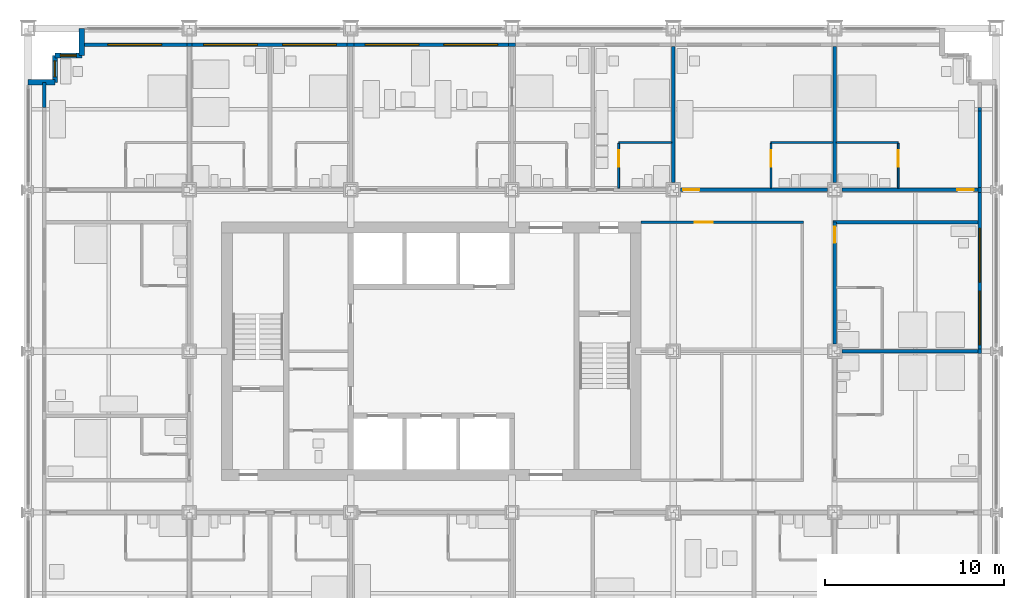
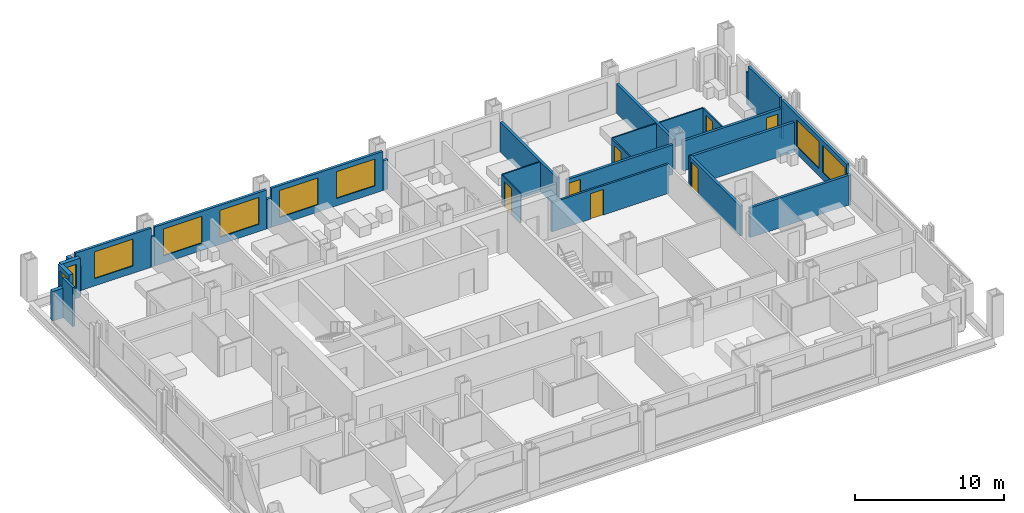
# One storey, part 14 of 18: 30 walls, 9 windows, 7 doors, 16 openings.
"""IFC4 building model written with IfcOpenShell, lengths in metres."""

from ifc_helpers import new_model, si_unit, direction, frame, frame_2d, origin, place, context, subcontext, project, spatial, rectangle, extrude, material, layer, layer_set, type_object, element, fill, save


model = new_model("IFC4")

# Units and contexts
model_context = context("Model", 3, precision=1e-05, world=origin(), true_north=direction((0.0, 1.0)))
body_context = subcontext(model_context, "Body", "Model", "MODEL_VIEW")
ifc_project = project(units=[si_unit("LENGTHUNIT", "METRE"), si_unit("AREAUNIT", "SQUARE_METRE"), si_unit("VOLUMEUNIT", "CUBIC_METRE"), si_unit("PLANEANGLEUNIT", "RADIAN"), si_unit("MASSUNIT", "GRAM", prefix="KILO")], contexts=[model_context])

# Site, building, storey
site_placement = place(None, origin())
site = spatial("IfcSite", under=ifc_project, at=site_placement, CompositionType="ELEMENT")
building_placement = place(site_placement, origin())
building = spatial("IfcBuilding", under=site, at=building_placement, Name="Loomwork Tower", CompositionType="ELEMENT")
storey_placement = place(building_placement, frame((0.0, 0.0, 31.39990234375)))
storey = spatial("IfcBuildingStorey", under=building, at=storey_placement, Name="L06", CompositionType="ELEMENT", Elevation=31.39990234375)

# Wall, opening, door
ifc_material_1 = material(Name="Gypsum board on steel studs, one-hour", Category="steel")
ifc_layer_1 = layer(ifc_material_1, 0.199951171875)
ifc_layer_set_1 = layer_set([ifc_layer_1], Name="Corridor wall 200")
wall_type_1 = type_object("IfcWallType", Name="Corridor wall 200", PredefinedType="PARTITIONING", material=ifc_layer_set_1)
wall_1_placement = place(storey_placement, frame((36.39990234375, 27.0, 0.0), z_axis=(0.0, 0.0, 1.0), x_axis=(1.0, 0.0, 0.0)))
wall_1 = element("IfcWall", 1, at=wall_1_placement, inside=storey, type_object=wall_type_1, Name="North corridor wall 5", PredefinedType="PARTITIONING", context=body_context, shape_type="SweptSolid", body=[
    extrude(rectangle(XDim=8.2001953125, YDim=0.199951171875, at=frame_2d((4.10009765625, 0.0))), origin(), (0.0, 0.0, 1.0), 2.43798828125),
])
opening_1_placement = place(wall_1_placement, frame((0.14990234375, 0.0, 0.0)))
opening_1 = element("IfcOpeningElement", 2, at=opening_1_placement, cuts=wall_1, Name="Opening D1", PredefinedType="OPENING", context=body_context, shape_type="SweptSolid", body=[
    extrude(rectangle(XDim=0.89990234375, YDim=2.10009765625, at=frame_2d((0.449951171875, 1.050048828125))), frame((0.0, 0.10986328125, 0.0), z_axis=(0.0, -1.0, 0.0), x_axis=(1.0, 0.0, 0.0)), (0.0, 0.0, 1.0), 0.219970703125),
])
ifc_material_2 = material(Name="Hollow metal door and frame")
door_type_1 = type_object("IfcDoorType", Name="Guest room entry door 900", OperationType="SINGLE_SWING_LEFT", PredefinedType="DOOR", material=ifc_material_2)
door_1_placement = place(opening_1_placement, origin())
door_1 = element("IfcDoor", 3, at=door_1_placement, inside=storey, type_object=door_type_1, Name="Guest room entry door L06 14", OperationType="SINGLE_SWING_LEFT", OverallHeight=2.10009765625, OverallWidth=0.89990234375, PredefinedType="DOOR", context=body_context, shape_type="SweptSolid", body=[
    extrude(rectangle(XDim=0.89990234375, YDim=2.10009765625, at=frame_2d((0.449951171875, 1.050048828125))), frame((0.0, 0.02490234375, 0.0), z_axis=(0.0, -1.0, 0.0), x_axis=(1.0, 0.0, 0.0)), (0.0, 0.0, 1.0), 0.050048828125),
])
fill(opening_1, door_1)

wall_2_placement = place(storey_placement, frame((45.39990234375, 27.0, 0.0), z_axis=(0.0, 0.0, 1.0), x_axis=(1.0, 0.0, 0.0)))
wall_2 = element("IfcWall", 4, at=wall_2_placement, inside=storey, type_object=wall_type_1, Name="North corridor wall 6", PredefinedType="PARTITIONING", context=body_context, shape_type="SweptSolid", body=[
    extrude(rectangle(XDim=7.60009765625, YDim=0.199951171875, at=frame_2d((3.800048828125, 0.0))), origin(), (0.0, 0.0, 1.0), 2.43798828125),
])
opening_2_placement = place(wall_2_placement, frame((6.449951171875, 0.0, 0.0)))
opening_2 = element("IfcOpeningElement", 5, at=opening_2_placement, cuts=wall_2, Name="Opening D1", PredefinedType="OPENING", context=body_context, shape_type="SweptSolid", body=[
    extrude(rectangle(XDim=0.89990234375, YDim=2.10009765625, at=frame_2d((0.449951171875, 1.050048828125))), frame((0.0, 0.10986328125, 0.0), z_axis=(0.0, -1.0, 0.0), x_axis=(1.0, 0.0, 0.0)), (0.0, 0.0, 1.0), 0.219970703125),
])
door_2_placement = place(opening_2_placement, origin())
door_2 = element("IfcDoor", 6, at=door_2_placement, inside=storey, type_object=door_type_1, Name="Guest room entry door L06 15", OperationType="SINGLE_SWING_RIGHT", OverallHeight=2.10009765625, OverallWidth=0.89990234375, PredefinedType="DOOR", context=body_context, shape_type="SweptSolid", body=[
    extrude(rectangle(XDim=0.89990234375, YDim=2.10009765625, at=frame_2d((0.449951171875, 1.050048828125))), frame((0.0, 0.02490234375, 0.0), z_axis=(0.0, -1.0, 0.0), x_axis=(1.0, 0.0, 0.0)), (0.0, 0.0, 1.0), 0.050048828125),
])
fill(opening_2, door_2)

wall_3_placement = place(storey_placement, frame((45.0, 18.39990234375, 0.0), z_axis=(0.0, 0.0, 1.0), x_axis=(0.0, 1.0, 0.0)))
wall_3 = element("IfcWall", 7, at=wall_3_placement, inside=storey, type_object=wall_type_1, Name="East corridor wall 2", PredefinedType="PARTITIONING", context=body_context, shape_type="SweptSolid", body=[
    extrude(rectangle(XDim=6.800048828125, YDim=0.199951171875, at=frame_2d((3.39990234375, 0.0))), origin(), (0.0, 0.0, 1.0), 2.43798828125),
])
opening_3_placement = place(wall_3_placement, frame((5.64990234375, 0.0, 0.0)))
opening_3 = element("IfcOpeningElement", 8, at=opening_3_placement, cuts=wall_3, Name="Opening D1", PredefinedType="OPENING", context=body_context, shape_type="SweptSolid", body=[
    extrude(rectangle(XDim=0.89990234375, YDim=2.10009765625, at=frame_2d((0.449951171875, 1.050048828125))), frame((0.0, 0.10986328125, 0.0), z_axis=(0.0, -1.0, 0.0), x_axis=(1.0, 0.0, 0.0)), (0.0, 0.0, 1.0), 0.219970703125),
])
door_3_placement = place(opening_3_placement, frame((0.89990234375, 0.0, 0.0), z_axis=(0.0, 0.0, 1.0), x_axis=(-1.0, 0.0, 0.0)))
door_3 = element("IfcDoor", 9, at=door_3_placement, inside=storey, type_object=door_type_1, Name="Guest room entry door L06 19", OperationType="SINGLE_SWING_LEFT", OverallHeight=2.10009765625, OverallWidth=0.89990234375, PredefinedType="DOOR", context=body_context, shape_type="SweptSolid", body=[
    extrude(rectangle(XDim=0.89990234375, YDim=2.10009765625, at=frame_2d((0.449951171875, 1.050048828125))), frame((0.0, 0.02490234375, 0.0), z_axis=(0.0, -1.0, 0.0), x_axis=(1.0, 0.0, 0.0)), (0.0, 0.0, 1.0), 0.050048828125),
])
fill(opening_3, door_3)

# Walls
wall_4_placement = place(storey_placement, frame((44.89990234375, 25.199951171875, 0.0), z_axis=(0.0, 0.0, 1.0), x_axis=(1.0, 0.0, 0.0)))
element("IfcWall", 10, at=wall_4_placement, inside=storey, type_object=wall_type_1, Name="East band end wall N", PredefinedType="PARTITIONING", context=body_context, shape_type="SweptSolid", body=[
    extrude(rectangle(XDim=8.10009765625, YDim=0.199951171875, at=frame_2d((4.050048828125, 0.0))), origin(), (0.0, 0.0, 1.0), 2.43798828125),
])
ifc_material_3 = material(Name="Cement board on steel studs", Category="steel")
ifc_layer_2 = layer(ifc_material_3, 0.10009765625)
ifc_layer_set_2 = layer_set([ifc_layer_2], Name="En-suite partition 100")
wall_type_2 = type_object("IfcWallType", Name="En-suite partition 100", PredefinedType="PARTITIONING", material=ifc_layer_set_2)
wall_5_placement = place(storey_placement, frame((32.949951171875, 29.64990234375, 0.0), z_axis=(0.0, 0.0, 1.0), x_axis=(1.0, 0.0, 0.0)))
element("IfcWall", 11, at=wall_5_placement, inside=storey, type_object=wall_type_2, Name="En-suite wall L06 room 13", PredefinedType="PARTITIONING", context=body_context, shape_type="SweptSolid", body=[
    extrude(rectangle(XDim=2.949951171875, YDim=0.10009765625, at=frame_2d((1.47509765625, 0.0))), origin(), (0.0, 0.0, 1.0), 2.43798828125),
])

# Wall, opening, door
wall_6_placement = place(storey_placement, frame((32.949951171875, 27.10009765625, 0.0), z_axis=(0.0, 0.0, 1.0), x_axis=(0.0, 1.0, 0.0)))
wall_6 = element("IfcWall", 12, at=wall_6_placement, inside=storey, type_object=wall_type_2, Name="En-suite side wall L06 room 13", PredefinedType="PARTITIONING", context=body_context, shape_type="SweptSolid", body=[
    extrude(rectangle(XDim=2.5, YDim=0.10009765625, at=frame_2d((1.25, 0.0))), origin(), (0.0, 0.0, 1.0), 2.404052734375),
])
opening_4_placement = place(wall_6_placement, frame((1.199951171875, 0.0, 0.0)))
opening_4 = element("IfcOpeningElement", 13, at=opening_4_placement, cuts=wall_6, Name="Opening D2", PredefinedType="OPENING", context=body_context, shape_type="SweptSolid", body=[
    extrude(rectangle(XDim=0.89990234375, YDim=2.10009765625, at=frame_2d((0.449951171875, 1.050048828125))), frame((0.0, 0.06005859375, 0.0), z_axis=(0.0, -1.0, 0.0), x_axis=(1.0, 0.0, 0.0)), (0.0, 0.0, 1.0), 0.1201171875),
])
ifc_material_4 = material(Name="Hollow metal door and frame")
door_type_2 = type_object("IfcDoorType", Name="En-suite door 900", OperationType="SINGLE_SWING_LEFT", PredefinedType="DOOR", material=ifc_material_4)
door_4_placement = place(opening_4_placement, frame((0.89990234375, 0.0, 0.0), z_axis=(0.0, 0.0, 1.0), x_axis=(-1.0, 0.0, 0.0)))
door_4 = element("IfcDoor", 14, at=door_4_placement, inside=storey, type_object=door_type_2, Name="En-suite door room 13", OperationType="SINGLE_SWING_LEFT", OverallHeight=2.10009765625, OverallWidth=0.89990234375, PredefinedType="DOOR", context=body_context, shape_type="SweptSolid", body=[
    extrude(rectangle(XDim=0.89990234375, YDim=2.10009765625, at=frame_2d((0.449951171875, 1.050048828125))), frame((0.0, 0.02490234375, 0.0), z_axis=(0.0, -1.0, 0.0), x_axis=(1.0, 0.0, 0.0)), (0.0, 0.0, 1.0), 0.050048828125),
])
fill(opening_4, door_4)

# Wall
wall_7_placement = place(storey_placement, frame((41.449951171875, 29.64990234375, 0.0), z_axis=(0.0, 0.0, 1.0), x_axis=(1.0, 0.0, 0.0)))
element("IfcWall", 15, at=wall_7_placement, inside=storey, type_object=wall_type_2, Name="En-suite wall L06 room 14", PredefinedType="PARTITIONING", context=body_context, shape_type="SweptSolid", body=[
    extrude(rectangle(XDim=3.449951171875, YDim=0.10009765625, at=frame_2d((1.72509765625, 0.0))), origin(), (0.0, 0.0, 1.0), 2.43798828125),
])

# Wall, opening, door
wall_8_placement = place(storey_placement, frame((41.449951171875, 27.10009765625, 0.0), z_axis=(0.0, 0.0, 1.0), x_axis=(0.0, 1.0, 0.0)))
wall_8 = element("IfcWall", 16, at=wall_8_placement, inside=storey, type_object=wall_type_2, Name="En-suite side wall L06 room 14", PredefinedType="PARTITIONING", context=body_context, shape_type="SweptSolid", body=[
    extrude(rectangle(XDim=2.5, YDim=0.10009765625, at=frame_2d((1.25, 0.0))), origin(), (0.0, 0.0, 1.0), 2.43798828125),
])
opening_5_placement = place(wall_8_placement, frame((1.199951171875, 0.0, 0.0)))
opening_5 = element("IfcOpeningElement", 17, at=opening_5_placement, cuts=wall_8, Name="Opening D2", PredefinedType="OPENING", context=body_context, shape_type="SweptSolid", body=[
    extrude(rectangle(XDim=0.89990234375, YDim=2.10009765625, at=frame_2d((0.449951171875, 1.050048828125))), frame((0.0, 0.06005859375, 0.0), z_axis=(0.0, -1.0, 0.0), x_axis=(1.0, 0.0, 0.0)), (0.0, 0.0, 1.0), 0.1201171875),
])
door_5_placement = place(opening_5_placement, frame((0.89990234375, 0.0, 0.0), z_axis=(0.0, 0.0, 1.0), x_axis=(-1.0, 0.0, 0.0)))
door_5 = element("IfcDoor", 18, at=door_5_placement, inside=storey, type_object=door_type_2, Name="En-suite door room 14", OperationType="SINGLE_SWING_LEFT", OverallHeight=2.10009765625, OverallWidth=0.89990234375, PredefinedType="DOOR", context=body_context, shape_type="SweptSolid", body=[
    extrude(rectangle(XDim=0.89990234375, YDim=2.10009765625, at=frame_2d((0.449951171875, 1.050048828125))), frame((0.0, 0.02490234375, 0.0), z_axis=(0.0, -1.0, 0.0), x_axis=(1.0, 0.0, 0.0)), (0.0, 0.0, 1.0), 0.050048828125),
])
fill(opening_5, door_5)

# Wall
wall_9_placement = place(storey_placement, frame((45.10009765625, 29.64990234375, 0.0), z_axis=(0.0, 0.0, 1.0), x_axis=(1.0, 0.0, 0.0)))
element("IfcWall", 19, at=wall_9_placement, inside=storey, type_object=wall_type_2, Name="En-suite wall L06 room 15", PredefinedType="PARTITIONING", context=body_context, shape_type="SweptSolid", body=[
    extrude(rectangle(XDim=3.449951171875, YDim=0.10009765625, at=frame_2d((1.72509765625, 0.0))), origin(), (0.0, 0.0, 1.0), 2.43798828125),
])

# Wall, opening, door
wall_10_placement = place(storey_placement, frame((48.550048828125, 27.10009765625, 0.0), z_axis=(0.0, 0.0, 1.0), x_axis=(0.0, 1.0, 0.0)))
wall_10 = element("IfcWall", 20, at=wall_10_placement, inside=storey, type_object=wall_type_2, Name="En-suite side wall L06 room 15", PredefinedType="PARTITIONING", context=body_context, shape_type="SweptSolid", body=[
    extrude(rectangle(XDim=2.5, YDim=0.10009765625, at=frame_2d((1.25, 0.0))), origin(), (0.0, 0.0, 1.0), 2.43798828125),
])
opening_6_placement = place(wall_10_placement, frame((1.199951171875, 0.0, 0.0)))
opening_6 = element("IfcOpeningElement", 21, at=opening_6_placement, cuts=wall_10, Name="Opening D2", PredefinedType="OPENING", context=body_context, shape_type="SweptSolid", body=[
    extrude(rectangle(XDim=0.89990234375, YDim=2.10009765625, at=frame_2d((0.449951171875, 1.050048828125))), frame((0.0, 0.06005859375, 0.0), z_axis=(0.0, -1.0, 0.0), x_axis=(1.0, 0.0, 0.0)), (0.0, 0.0, 1.0), 0.1201171875),
])
door_6_placement = place(opening_6_placement, origin())
door_6 = element("IfcDoor", 22, at=door_6_placement, inside=storey, type_object=door_type_2, Name="En-suite door room 15", OperationType="SINGLE_SWING_RIGHT", OverallHeight=2.10009765625, OverallWidth=0.89990234375, PredefinedType="DOOR", context=body_context, shape_type="SweptSolid", body=[
    extrude(rectangle(XDim=0.89990234375, YDim=2.10009765625, at=frame_2d((0.449951171875, 1.050048828125))), frame((0.0, 0.02490234375, 0.0), z_axis=(0.0, -1.0, 0.0), x_axis=(1.0, 0.0, 0.0)), (0.0, 0.0, 1.0), 0.050048828125),
])
fill(opening_6, door_6)

# Walls
ifc_material_5 = material(Name="Gypsum board on steel studs, acoustic", Category="steel")
ifc_layer_3 = layer(ifc_material_5, 0.199951171875)
ifc_layer_set_3 = layer_set([ifc_layer_3], Name="Guest room party wall 200")
wall_type_3 = type_object("IfcWallType", Name="Guest room party wall 200", PredefinedType="PARTITIONING", material=ifc_layer_set_3)
for number, where, z_axis, x_axis, name in (
    (23, (36.0, 27.39990234375, 0.0), (0.0, 0.0, 1.0), (0.0, 1.0, 0.0), "Guest room party wall N 36"),
    (24, (45.0, 27.39990234375, 0.0), (0.0, 0.0, 1.0), (0.0, 1.0, 0.0), "Guest room party wall N 45"),
    (25, (45.39990234375, 18.0, 0.0), (0.0, 0.0, 1.0), (1.0, 0.0, 0.0), "Guest room party wall E 18"),
):
    element("IfcWall", number, at=place(storey_placement, frame(where, z_axis=z_axis, x_axis=x_axis)), inside=storey, type_object=wall_type_3, Name=name, PredefinedType="PARTITIONING", context=body_context, shape_type="SweptSolid", body=[
        extrude(rectangle(XDim=7.60009765625, YDim=0.199951171875, at=frame_2d((3.800048828125, 0.0))), origin(), (0.0, 0.0, 1.0), 2.43798828125),
    ])

# Wall, opening, window
ifc_material_6 = material(Name="Insulated steel stud wall with gypsum lining", Category="steel")
ifc_layer_4 = layer(ifc_material_6, 0.199951171875)
ifc_layer_set_4 = layer_set([ifc_layer_4], Name="Inner skin wall 200")
wall_type_4 = type_object("IfcWallType", Name="Inner skin wall 200", PredefinedType="SOLIDWALL", material=ifc_layer_set_4)
wall_11_placement = place(storey_placement, frame((3.0, 35.10009765625, 0.0), z_axis=(0.0, 0.0, 1.0), x_axis=(1.0, 0.0, 0.0)))
wall_11 = element("IfcWall", 26, at=wall_11_placement, inside=storey, type_object=wall_type_4, Name="Inner skin wall N", PredefinedType="SOLIDWALL", context=body_context, shape_type="SweptSolid", body=[
    extrude(rectangle(XDim=5.86474609375, YDim=0.199951171875, at=frame_2d((2.932373046875, 0.0))), origin(), (0.0, 0.0, 1.0), 3.2001953125),
])
opening_7_placement = place(wall_11_placement, frame((1.449951171875, 0.0, 0.60009765625)))
opening_7 = element("IfcOpeningElement", 27, at=opening_7_placement, cuts=wall_11, Name="Opening CH1", PredefinedType="OPENING", context=body_context, shape_type="SweptSolid", body=[
    extrude(rectangle(XDim=3.0, YDim=2.199951171875, at=frame_2d((1.5, 1.10009765625))), frame((0.0, 0.10986328125, 0.0), z_axis=(0.0, -1.0, 0.0), x_axis=(1.0, 0.0, 0.0)), (0.0, 0.0, 1.0), 0.219970703125),
])
ifc_material_7 = material(Name="Aluminium frame with clear insulated glass", Category="aluminium")
window_type_1 = type_object("IfcWindowType", Name="Chicago window 3000", PartitioningType="TRIPLE_PANEL_VERTICAL", PredefinedType="WINDOW", material=ifc_material_7)
window_1_placement = place(opening_7_placement, origin())
window_1 = element("IfcWindow", 28, at=window_1_placement, inside=storey, type_object=window_type_1, Name="Chicago window L06 bay 7", OverallHeight=2.199951171875, OverallWidth=3.0, PartitioningType="TRIPLE_PANEL_VERTICAL", PredefinedType="WINDOW", context=body_context, shape_type="SweptSolid", body=[
    extrude(rectangle(XDim=3.0, YDim=2.199951171875, at=frame_2d((1.5, 1.10009765625))), frame((0.0, 0.030029296875, 0.0), z_axis=(0.0, -1.0, 0.0), x_axis=(1.0, 0.0, 0.0)), (0.0, 0.0, 1.0), 0.06005859375),
])
fill(opening_7, window_1)

# Walls
wall_12_placement = place(storey_placement, frame((0.89990234375, 31.607421875, 0.0), z_axis=(0.0, 0.0, 1.0), x_axis=(0.0, 1.0, 0.0)))
element("IfcWall", 29, at=wall_12_placement, inside=storey, type_object=wall_type_4, Name="Inner skin wall W bay 11", PredefinedType="SOLIDWALL", context=body_context, shape_type="SweptSolid", body=[
    extrude(rectangle(XDim=1.392578125, YDim=0.199951171875, at=frame_2d((0.6962890625, 0.0))), origin(), (0.0, 0.0, 1.0), 3.2001953125),
])
wall_13_placement = place(storey_placement, frame((8.86474609375, 35.10009765625, 0.0), z_axis=(0.0, 0.0, 1.0), x_axis=(1.0, 0.0, 0.0)))
element("IfcWall", 30, at=wall_13_placement, inside=storey, type_object=wall_type_4, Name="Inner skin wall N bay 2", PredefinedType="SOLIDWALL", context=body_context, shape_type="SweptSolid", body=[
    extrude(rectangle(XDim=0.2705078125, YDim=0.199951171875, at=frame_2d((0.13525390625, 0.0))), origin(), (0.0, 0.0, 1.0), 2.43798828125),
])

# Wall, openings, windows
wall_14_placement = place(storey_placement, frame((9.13525390625, 35.10009765625, 0.0), z_axis=(0.0, 0.0, 1.0), x_axis=(1.0, 0.0, 0.0)))
wall_14 = element("IfcWall", 31, at=wall_14_placement, inside=storey, type_object=wall_type_4, Name="Inner skin wall N bay 3", PredefinedType="SOLIDWALL", context=body_context, shape_type="SweptSolid", body=[
    extrude(rectangle(XDim=8.6708984375, YDim=0.199951171875, at=frame_2d((4.33544921875, 0.0))), origin(), (0.0, 0.0, 1.0), 3.2001953125),
])
opening_8_placement = place(wall_14_placement, frame((0.664794921875, 0.0, 0.60009765625)))
opening_8 = element("IfcOpeningElement", 32, at=opening_8_placement, cuts=wall_14, Name="Opening CH1", PredefinedType="OPENING", context=body_context, shape_type="SweptSolid", body=[
    extrude(rectangle(XDim=3.0, YDim=2.199951171875, at=frame_2d((1.5, 1.10009765625))), frame((0.0, 0.10986328125, 0.0), z_axis=(0.0, -1.0, 0.0), x_axis=(1.0, 0.0, 0.0)), (0.0, 0.0, 1.0), 0.219970703125),
])
opening_9_placement = place(wall_14_placement, frame((5.064697265625, 0.0, 0.60009765625)))
opening_9 = element("IfcOpeningElement", 33, at=opening_9_placement, cuts=wall_14, Name="Opening CH1", PredefinedType="OPENING", context=body_context, shape_type="SweptSolid", body=[
    extrude(rectangle(XDim=3.0, YDim=2.199951171875, at=frame_2d((1.5, 1.10009765625))), frame((0.0, 0.10986328125, 0.0), z_axis=(0.0, -1.0, 0.0), x_axis=(1.0, 0.0, 0.0)), (0.0, 0.0, 1.0), 0.219970703125),
])
window_2_placement = place(opening_8_placement, origin())
window_2 = element("IfcWindow", 34, at=window_2_placement, inside=storey, type_object=window_type_1, Name="Chicago window L06 bay 8", OverallHeight=2.199951171875, OverallWidth=3.0, PartitioningType="TRIPLE_PANEL_VERTICAL", PredefinedType="WINDOW", context=body_context, shape_type="SweptSolid", body=[
    extrude(rectangle(XDim=3.0, YDim=2.199951171875, at=frame_2d((1.5, 1.10009765625))), frame((0.0, 0.030029296875, 0.0), z_axis=(0.0, -1.0, 0.0), x_axis=(1.0, 0.0, 0.0)), (0.0, 0.0, 1.0), 0.06005859375),
])
fill(opening_8, window_2)
window_3_placement = place(opening_9_placement, origin())
window_3 = element("IfcWindow", 35, at=window_3_placement, inside=storey, type_object=window_type_1, Name="Chicago window L06 bay 8", OverallHeight=2.199951171875, OverallWidth=3.0, PartitioningType="TRIPLE_PANEL_VERTICAL", PredefinedType="WINDOW", context=body_context, shape_type="SweptSolid", body=[
    extrude(rectangle(XDim=3.0, YDim=2.199951171875, at=frame_2d((1.5, 1.10009765625))), frame((0.0, 0.030029296875, 0.0), z_axis=(0.0, -1.0, 0.0), x_axis=(1.0, 0.0, 0.0)), (0.0, 0.0, 1.0), 0.06005859375),
])
fill(opening_9, window_3)

# Wall
wall_15_placement = place(storey_placement, frame((17.80615234375, 35.10009765625, 0.0), z_axis=(0.0, 0.0, 1.0), x_axis=(1.0, 0.0, 0.0)))
element("IfcWall", 36, at=wall_15_placement, inside=storey, type_object=wall_type_4, Name="Inner skin wall N bay 4", PredefinedType="SOLIDWALL", context=body_context, shape_type="SweptSolid", body=[
    extrude(rectangle(XDim=0.3876953125, YDim=0.199951171875, at=frame_2d((0.19384765625, 0.0))), origin(), (0.0, 0.0, 1.0), 2.404052734375),
])

# Wall, openings, windows
wall_16_placement = place(storey_placement, frame((18.19384765625, 35.10009765625, 0.0), z_axis=(0.0, 0.0, 1.0), x_axis=(1.0, 0.0, 0.0)))
wall_16 = element("IfcWall", 37, at=wall_16_placement, inside=storey, type_object=wall_type_4, Name="Inner skin wall N bay 5", PredefinedType="SOLIDWALL", context=body_context, shape_type="SweptSolid", body=[
    extrude(rectangle(XDim=8.6123046875, YDim=0.199951171875, at=frame_2d((4.30615234375, 0.0))), origin(), (0.0, 0.0, 1.0), 3.2001953125),
])
opening_10_placement = place(wall_16_placement, frame((0.606201171875, 0.0, 0.60009765625)))
opening_10 = element("IfcOpeningElement", 38, at=opening_10_placement, cuts=wall_16, Name="Opening CH1", PredefinedType="OPENING", context=body_context, shape_type="SweptSolid", body=[
    extrude(rectangle(XDim=3.0, YDim=2.199951171875, at=frame_2d((1.5, 1.10009765625))), frame((0.0, 0.10986328125, 0.0), z_axis=(0.0, -1.0, 0.0), x_axis=(1.0, 0.0, 0.0)), (0.0, 0.0, 1.0), 0.219970703125),
])
opening_11_placement = place(wall_16_placement, frame((5.006103515625, 0.0, 0.60009765625)))
opening_11 = element("IfcOpeningElement", 39, at=opening_11_placement, cuts=wall_16, Name="Opening CH1", PredefinedType="OPENING", context=body_context, shape_type="SweptSolid", body=[
    extrude(rectangle(XDim=3.0, YDim=2.199951171875, at=frame_2d((1.5, 1.10009765625))), frame((0.0, 0.10986328125, 0.0), z_axis=(0.0, -1.0, 0.0), x_axis=(1.0, 0.0, 0.0)), (0.0, 0.0, 1.0), 0.219970703125),
])
window_4_placement = place(opening_10_placement, origin())
window_4 = element("IfcWindow", 40, at=window_4_placement, inside=storey, type_object=window_type_1, Name="Chicago window L06 bay 9", OverallHeight=2.199951171875, OverallWidth=3.0, PartitioningType="TRIPLE_PANEL_VERTICAL", PredefinedType="WINDOW", context=body_context, shape_type="SweptSolid", body=[
    extrude(rectangle(XDim=3.0, YDim=2.199951171875, at=frame_2d((1.5, 1.10009765625))), frame((0.0, 0.030029296875, 0.0), z_axis=(0.0, -1.0, 0.0), x_axis=(1.0, 0.0, 0.0)), (0.0, 0.0, 1.0), 0.06005859375),
])
fill(opening_10, window_4)
window_5_placement = place(opening_11_placement, origin())
window_5 = element("IfcWindow", 41, at=window_5_placement, inside=storey, type_object=window_type_1, Name="Chicago window L06 bay 9", OverallHeight=2.199951171875, OverallWidth=3.0, PartitioningType="TRIPLE_PANEL_VERTICAL", PredefinedType="WINDOW", context=body_context, shape_type="SweptSolid", body=[
    extrude(rectangle(XDim=3.0, YDim=2.199951171875, at=frame_2d((1.5, 1.10009765625))), frame((0.0, 0.030029296875, 0.0), z_axis=(0.0, -1.0, 0.0), x_axis=(1.0, 0.0, 0.0)), (0.0, 0.0, 1.0), 0.06005859375),
])
fill(opening_11, window_5)

# Walls
wall_17_placement = place(storey_placement, frame((26.80615234375, 35.10009765625, 0.0), z_axis=(0.0, 0.0, 1.0), x_axis=(1.0, 0.0, 0.0)))
element("IfcWall", 42, at=wall_17_placement, inside=storey, type_object=wall_type_4, Name="Inner skin wall N bay 6", PredefinedType="SOLIDWALL", context=body_context, shape_type="SweptSolid", body=[
    extrude(rectangle(XDim=0.3876953125, YDim=0.199951171875, at=frame_2d((0.19384765625, 0.0))), origin(), (0.0, 0.0, 1.0), 2.404052734375),
])
wall_18_placement = place(storey_placement, frame((53.10009765625, 17.864501953125, 0.0), z_axis=(0.0, 0.0, 1.0), x_axis=(0.0, 1.0, 0.0)))
element("IfcWall", 43, at=wall_18_placement, inside=storey, type_object=wall_type_4, Name="Inner skin wall E bay 6", PredefinedType="SOLIDWALL", context=body_context, shape_type="SweptSolid", body=[
    extrude(rectangle(XDim=0.27099609375, YDim=0.199951171875, at=frame_2d((0.135498046875, 0.0))), origin(), (0.0, 0.0, 1.0), 2.43798828125),
])

# Wall, openings, windows
wall_19_placement = place(storey_placement, frame((53.10009765625, 18.135498046875, 0.0), z_axis=(0.0, 0.0, 1.0), x_axis=(0.0, 1.0, 0.0)))
wall_19 = element("IfcWall", 44, at=wall_19_placement, inside=storey, type_object=wall_type_4, Name="Inner skin wall E bay 7", PredefinedType="SOLIDWALL", context=body_context, shape_type="SweptSolid", body=[
    extrude(rectangle(XDim=8.729248046875, YDim=0.199951171875, at=frame_2d((4.36474609375, 0.0))), origin(), (0.0, 0.0, 1.0), 3.2001953125),
])
opening_12_placement = place(wall_19_placement, frame((0.214599609375, 0.0, 0.60009765625)))
opening_12 = element("IfcOpeningElement", 45, at=opening_12_placement, cuts=wall_19, Name="Opening CH1", PredefinedType="OPENING", context=body_context, shape_type="SweptSolid", body=[
    extrude(rectangle(XDim=3.0, YDim=2.199951171875, at=frame_2d((1.5, 1.10009765625))), frame((0.0, 0.10986328125, 0.0), z_axis=(0.0, -1.0, 0.0), x_axis=(1.0, 0.0, 0.0)), (0.0, 0.0, 1.0), 0.219970703125),
])
opening_13_placement = place(wall_19_placement, frame((3.714599609375, 0.0, 0.60009765625)))
opening_13 = element("IfcOpeningElement", 46, at=opening_13_placement, cuts=wall_19, Name="Opening CH1", PredefinedType="OPENING", context=body_context, shape_type="SweptSolid", body=[
    extrude(rectangle(XDim=3.0, YDim=2.199951171875, at=frame_2d((1.5, 1.10009765625))), frame((0.0, 0.10986328125, 0.0), z_axis=(0.0, -1.0, 0.0), x_axis=(1.0, 0.0, 0.0)), (0.0, 0.0, 1.0), 0.219970703125),
])
window_6_placement = place(opening_12_placement, origin())
window_6 = element("IfcWindow", 47, at=window_6_placement, inside=storey, type_object=window_type_1, Name="Chicago window L06 bay 16", OverallHeight=2.199951171875, OverallWidth=3.0, PartitioningType="TRIPLE_PANEL_VERTICAL", PredefinedType="WINDOW", context=body_context, shape_type="SweptSolid", body=[
    extrude(rectangle(XDim=3.0, YDim=2.199951171875, at=frame_2d((1.5, 1.10009765625))), frame((0.0, 0.030029296875, 0.0), z_axis=(0.0, -1.0, 0.0), x_axis=(1.0, 0.0, 0.0)), (0.0, 0.0, 1.0), 0.06005859375),
])
fill(opening_12, window_6)
window_7_placement = place(opening_13_placement, origin())
window_7 = element("IfcWindow", 48, at=window_7_placement, inside=storey, type_object=window_type_1, Name="Chicago window L06 bay 16", OverallHeight=2.199951171875, OverallWidth=3.0, PartitioningType="TRIPLE_PANEL_VERTICAL", PredefinedType="WINDOW", context=body_context, shape_type="SweptSolid", body=[
    extrude(rectangle(XDim=3.0, YDim=2.199951171875, at=frame_2d((1.5, 1.10009765625))), frame((0.0, 0.030029296875, 0.0), z_axis=(0.0, -1.0, 0.0), x_axis=(1.0, 0.0, 0.0)), (0.0, 0.0, 1.0), 0.06005859375),
])
fill(opening_13, window_7)

# Walls
wall_20_placement = place(storey_placement, frame((53.10009765625, 26.86474609375, 0.0), z_axis=(0.0, 0.0, 1.0), x_axis=(0.0, 1.0, 0.0)))
element("IfcWall", 49, at=wall_20_placement, inside=storey, type_object=wall_type_4, Name="Inner skin wall E bay 8", PredefinedType="SOLIDWALL", context=body_context, shape_type="SweptSolid", body=[
    extrude(rectangle(XDim=0.2705078125, YDim=0.199951171875, at=frame_2d((0.13525390625, 0.0))), origin(), (0.0, 0.0, 1.0), 2.43798828125),
])
wall_21_placement = place(storey_placement, frame((53.10009765625, 27.13525390625, 0.0), z_axis=(0.0, 0.0, 1.0), x_axis=(0.0, 1.0, 0.0)))
element("IfcWall", 50, at=wall_21_placement, inside=storey, type_object=wall_type_4, Name="Inner skin wall E bay 9", PredefinedType="SOLIDWALL", context=body_context, shape_type="SweptSolid", body=[
    extrude(rectangle(XDim=4.25732421875, YDim=0.199951171875, at=frame_2d((2.128662109375, 0.0))), origin(), (0.0, 0.0, 1.0), 3.2001953125),
])
wall_22_placement = place(storey_placement, frame((53.10009765625, 31.392578125, 0.0), z_axis=(0.0, 0.0, 1.0), x_axis=(0.0, 1.0, 0.0)))
element("IfcWall", 51, at=wall_22_placement, inside=storey, type_object=wall_type_4, Name="Inner skin wall E bay 10", PredefinedType="SOLIDWALL", context=body_context, shape_type="SweptSolid", body=[
    extrude(rectangle(XDim=0.21484375, YDim=0.199951171875, at=frame_2d((0.107421875, 0.0))), origin(), (0.0, 0.0, 1.0), 2.6611328125),
])
ifc_material_8 = material(Name="Limestone on concrete masonry", Category="masonry")
ifc_layer_5 = layer(ifc_material_8, 0.300048828125)
ifc_layer_set_5 = layer_set([ifc_layer_5], Name="Limestone corner wall 300")
wall_type_5 = type_object("IfcWallType", Name="Limestone corner wall 300", PredefinedType="SOLIDWALL", material=ifc_layer_set_5)
wall_23_placement = place(storey_placement, frame((3.0, 36.0, 0.0), z_axis=(0.0, 0.0, 1.0), x_axis=(0.0, -1.0, 0.0)))
element("IfcWall", 52, at=wall_23_placement, inside=storey, type_object=wall_type_5, Name="Stone corner wall NW 1", PredefinedType="SOLIDWALL", context=body_context, shape_type="SweptSolid", body=[
    extrude(rectangle(XDim=1.5, YDim=0.300048828125, at=frame_2d((0.75, 0.0))), origin(), (0.0, 0.0, 1.0), 2.420166015625),
])

# Wall, opening, window
wall_24_placement = place(storey_placement, frame((3.0, 34.5, 0.0), z_axis=(0.0, 0.0, 1.0), x_axis=(-1.0, 0.0, 0.0)))
wall_24 = element("IfcWall", 53, at=wall_24_placement, inside=storey, type_object=wall_type_5, Name="Stone corner wall NW 2", PredefinedType="SOLIDWALL", context=body_context, shape_type="SweptSolid", body=[
    extrude(rectangle(XDim=1.5, YDim=0.300048828125, at=frame_2d((0.75, 0.0))), origin(), (0.0, 0.0, 1.0), 3.2001953125),
])
opening_14_placement = place(wall_24_placement, frame((0.300048828125, 0.0, 0.60009765625)))
opening_14 = element("IfcOpeningElement", 54, at=opening_14_placement, cuts=wall_24, Name="Opening CH2", PredefinedType="OPENING", context=body_context, shape_type="SweptSolid", body=[
    extrude(rectangle(XDim=0.89990234375, YDim=2.199951171875, at=frame_2d((0.449951171875, 1.10009765625))), frame((0.0, 0.159912109375, 0.0), z_axis=(0.0, -1.0, 0.0), x_axis=(1.0, 0.0, 0.0)), (0.0, 0.0, 1.0), 0.320068359375),
])
ifc_material_9 = material(Name="Aluminium frame with clear insulated glass", Category="aluminium")
window_type_2 = type_object("IfcWindowType", Name="Corner window 900", PartitioningType="SINGLE_PANEL", PredefinedType="WINDOW", material=ifc_material_9)
window_8_placement = place(opening_14_placement, origin())
window_8 = element("IfcWindow", 55, at=window_8_placement, inside=storey, type_object=window_type_2, Name="Corner window NW", OverallHeight=2.199951171875, OverallWidth=0.89990234375, PartitioningType="SINGLE_PANEL", PredefinedType="WINDOW", context=body_context, shape_type="SweptSolid", body=[
    extrude(rectangle(XDim=0.89990234375, YDim=2.199951171875, at=frame_2d((0.449951171875, 1.10009765625))), frame((0.0, 0.030029296875, 0.0), z_axis=(0.0, -1.0, 0.0), x_axis=(1.0, 0.0, 0.0)), (0.0, 0.0, 1.0), 0.06005859375),
])
fill(opening_14, window_8)

wall_25_placement = place(storey_placement, frame((1.5, 34.5, 0.0), z_axis=(0.0, 0.0, 1.0), x_axis=(0.0, -1.0, 0.0)))
wall_25 = element("IfcWall", 56, at=wall_25_placement, inside=storey, type_object=wall_type_5, Name="Stone corner wall NW 3", PredefinedType="SOLIDWALL", context=body_context, shape_type="SweptSolid", body=[
    extrude(rectangle(XDim=1.5, YDim=0.300048828125, at=frame_2d((0.75, 0.0))), origin(), (0.0, 0.0, 1.0), 3.2001953125),
])
opening_15_placement = place(wall_25_placement, frame((0.300048828125, 0.0, 0.60009765625)))
opening_15 = element("IfcOpeningElement", 57, at=opening_15_placement, cuts=wall_25, Name="Opening CH2", PredefinedType="OPENING", context=body_context, shape_type="SweptSolid", body=[
    extrude(rectangle(XDim=0.89990234375, YDim=2.199951171875, at=frame_2d((0.449951171875, 1.10009765625))), frame((0.0, 0.159912109375, 0.0), z_axis=(0.0, -1.0, 0.0), x_axis=(1.0, 0.0, 0.0)), (0.0, 0.0, 1.0), 0.320068359375),
])
window_9_placement = place(opening_15_placement, origin())
window_9 = element("IfcWindow", 58, at=window_9_placement, inside=storey, type_object=window_type_2, Name="Corner window NW", OverallHeight=2.199951171875, OverallWidth=0.89990234375, PartitioningType="SINGLE_PANEL", PredefinedType="WINDOW", context=body_context, shape_type="SweptSolid", body=[
    extrude(rectangle(XDim=0.89990234375, YDim=2.199951171875, at=frame_2d((0.449951171875, 1.10009765625))), frame((0.0, 0.030029296875, 0.0), z_axis=(0.0, -1.0, 0.0), x_axis=(1.0, 0.0, 0.0)), (0.0, 0.0, 1.0), 0.06005859375),
])
fill(opening_15, window_9)

# Wall
wall_26_placement = place(storey_placement, frame((1.5, 33.0, 0.0), z_axis=(0.0, 0.0, 1.0), x_axis=(-1.0, 0.0, 0.0)))
element("IfcWall", 59, at=wall_26_placement, inside=storey, type_object=wall_type_5, Name="Stone corner wall NW 4", PredefinedType="SOLIDWALL", context=body_context, shape_type="SweptSolid", body=[
    extrude(rectangle(XDim=1.5, YDim=0.300048828125, at=frame_2d((0.75, 0.0))), origin(), (0.0, 0.0, 1.0), 2.420166015625),
])

# Wall, opening, door
ifc_material_10 = material(Name="Gypsum board on steel studs, one-hour", Category="steel")
ifc_layer_6 = layer(ifc_material_10, 0.14990234375)
ifc_layer_set_6 = layer_set([ifc_layer_6], Name="Service partition 150")
wall_type_6 = type_object("IfcWallType", Name="Service partition 150", PredefinedType="PARTITIONING", material=ifc_layer_set_6)
wall_27_placement = place(storey_placement, frame((34.199951171875, 25.199951171875, 0.0), z_axis=(0.0, 0.0, 1.0), x_axis=(1.0, 0.0, 0.0)))
wall_27 = element("IfcWall", 60, at=wall_27_placement, inside=storey, type_object=wall_type_6, Name="Service block wall N", PredefinedType="PARTITIONING", context=body_context, shape_type="SweptSolid", body=[
    extrude(rectangle(XDim=9.074951171875, YDim=0.14990234375, at=frame_2d((4.53759765625, 0.0))), origin(), (0.0, 0.0, 1.0), 2.404052734375),
])
opening_16_placement = place(wall_27_placement, frame((3.0, 0.0, 0.0)))
opening_16 = element("IfcOpeningElement", 61, at=opening_16_placement, cuts=wall_27, Name="Opening D5", PredefinedType="OPENING", context=body_context, shape_type="SweptSolid", body=[
    extrude(rectangle(XDim=1.0, YDim=2.10009765625, at=frame_2d((0.5, 1.050048828125))), frame((0.0, 0.0849609375, 0.0), z_axis=(0.0, -1.0, 0.0), x_axis=(1.0, 0.0, 0.0)), (0.0, 0.0, 1.0), 0.169921875),
])
ifc_material_11 = material(Name="Hollow metal door and frame")
door_type_3 = type_object("IfcDoorType", Name="Service door 1000", OperationType="SINGLE_SWING_LEFT", PredefinedType="DOOR", material=ifc_material_11)
door_7_placement = place(opening_16_placement, frame((1.0, 0.0, 0.0), z_axis=(0.0, 0.0, 1.0), x_axis=(-1.0, 0.0, 0.0)))
door_7 = element("IfcDoor", 62, at=door_7_placement, inside=storey, type_object=door_type_3, Name="Riser room door", OperationType="SINGLE_SWING_RIGHT", OverallHeight=2.10009765625, OverallWidth=1.0, PredefinedType="DOOR", context=body_context, shape_type="SweptSolid", body=[
    extrude(rectangle(XDim=1.0, YDim=2.10009765625, at=frame_2d((0.5, 1.050048828125))), frame((0.0, 0.02490234375, 0.0), z_axis=(0.0, -1.0, 0.0), x_axis=(1.0, 0.0, 0.0)), (0.0, 0.0, 1.0), 0.050048828125),
])
fill(opening_16, door_7)

save(model, "model.ifc")
